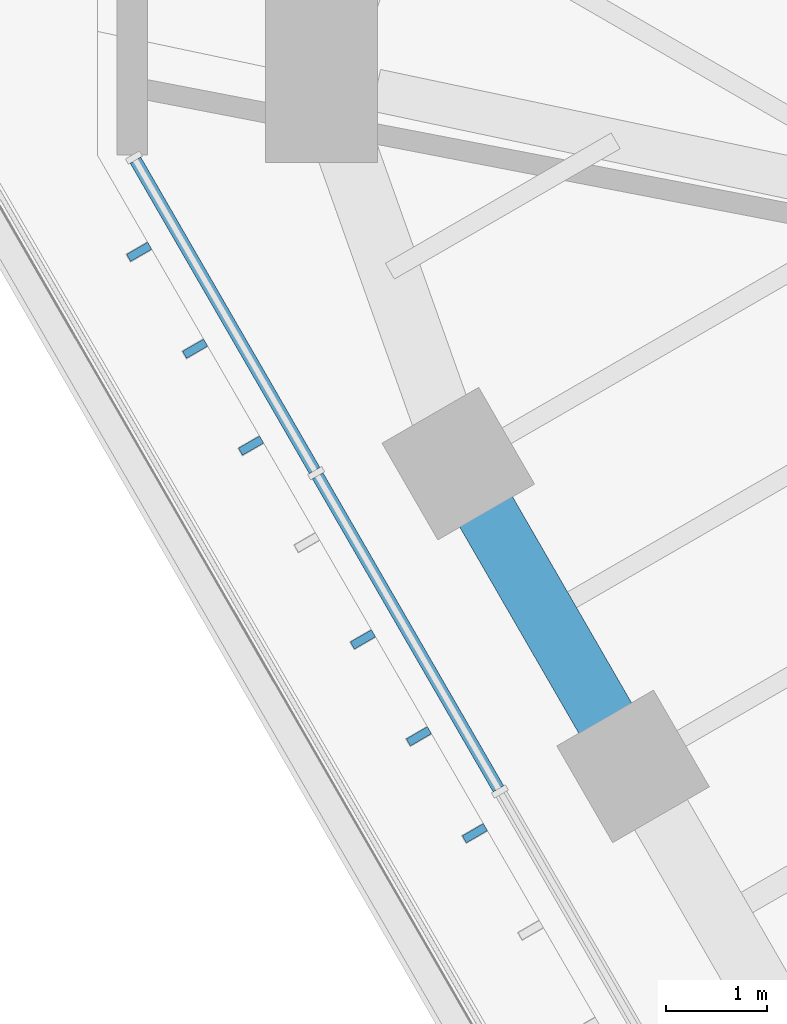
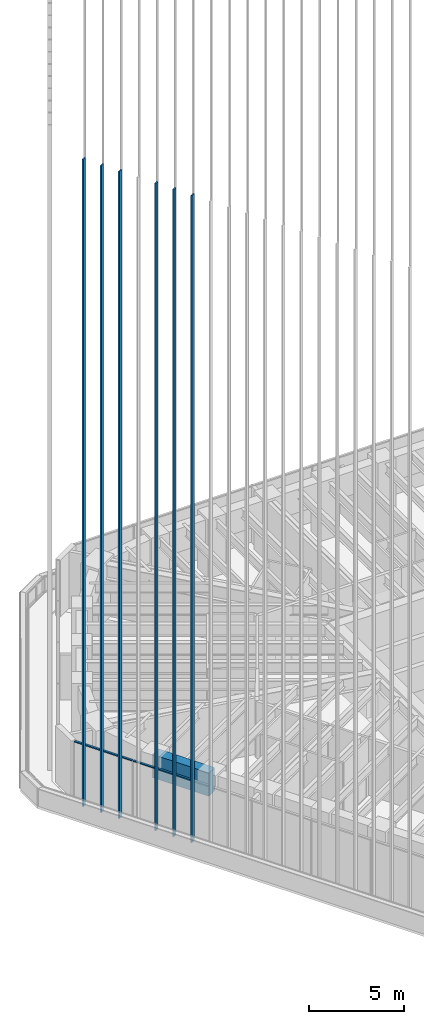
# One storey, part 27 of 127: 8 members, 1 beam, 1 element without a shape of its own.
"""IFC4 building model written with IfcOpenShell, lengths in metres."""

from ifc_helpers import new_model, si_unit, direction, frame, origin, origin_2d, place, context, subcontext, project, spatial, rectangle, extrude, material, material_profile, profile_set, type_object, element, aggregate, save


model = new_model("IFC4")

# Units and contexts
model_context = context("Model", 3, precision=1e-05, world=origin(), true_north=direction((0.0, 1.0)))
body_context = subcontext(model_context, "Body", "Model", "MODEL_VIEW")
ifc_project = project(units=[si_unit("LENGTHUNIT", "METRE"), si_unit("AREAUNIT", "SQUARE_METRE"), si_unit("VOLUMEUNIT", "CUBIC_METRE"), si_unit("PLANEANGLEUNIT", "RADIAN"), si_unit("MASSUNIT", "GRAM", prefix="KILO")], contexts=[model_context])

# Site, building, storey
site_placement = place(None, origin())
site = spatial("IfcSite", under=ifc_project, at=site_placement, CompositionType="ELEMENT")
building_placement = place(site_placement, origin())
building = spatial("IfcBuilding", under=site, at=building_placement, Name="Sandreach Pilgrim Tower", CompositionType="ELEMENT")
storey_placement = place(building_placement, frame((0.0, 0.0, 257.0)))
storey = spatial("IfcBuildingStorey", under=building, at=storey_placement, Name="L64", CompositionType="ELEMENT", Elevation=257.0)

# Curtain wall, members
ifc_material_1 = material(Name="Aluminium framed curtain wall", Category="aluminium")
curtain_wall_type = type_object("IfcCurtainWallType", Name="Suite tower curtain wall", PredefinedType="NOTDEFINED", material=ifc_material_1)
curtain_wall_placement = place(storey_placement, origin())
curtain_wall = element("IfcCurtainWall", 1, at=curtain_wall_placement, inside=storey, type_object=curtain_wall_type, Name="CW-4 L64 SW", PredefinedType="NOTDEFINED")
ifc_material_2 = material(Name="Aluminium extrusion", Category="aluminium")
ifc_material_profile_1 = material_profile(ifc_material_2, rectangle(XDim=0.1201171875, YDim=0.070068359375, at=origin_2d()), Name="CW-4T 120X70")
ifc_profile_set_1 = profile_set([ifc_material_profile_1], Name="Aluminium extrusion")
member_type_1 = type_object("IfcMemberType", Name="CW-4 transom", PredefinedType="USERDEFINED", material=ifc_profile_set_1)
member_1_placement = place(storey_placement, frame((-21.71240234375, -2.045654296875, 3.60498046875), z_axis=(-0.500009219579, 0.866020080793, 0.0), x_axis=(-0.866020080793, -0.500009219579, 0.0)))
member_1 = element("IfcMember", 2, at=member_1_placement, type_object=member_type_1, Name="CW-4 head transom 8", ObjectType="TRANSOM", PredefinedType="USERDEFINED", context=body_context, shape_type="SweptSolid", body=[
    extrude(rectangle(XDim=0.1201171875, YDim=0.070068359375, at=origin_2d()), origin(), (0.0, 0.0, 1.0), 3.56201171875),
])
member_2_placement = place(storey_placement, frame((-23.5234375, 1.091064453125, 3.60498046875), z_axis=(-0.499997709859, 0.866026725994, 0.0), x_axis=(-0.866026725994, -0.499997709859, 0.0)))
member_2 = element("IfcMember", 3, at=member_2_placement, type_object=member_type_1, Name="CW-4 head transom 9", ObjectType="TRANSOM", PredefinedType="USERDEFINED", context=body_context, shape_type="SweptSolid", body=[
    extrude(rectangle(XDim=0.1201171875, YDim=0.070068359375, at=origin_2d()), origin(), (0.0, 0.0, 1.0), 3.53173828125),
])

# Beam
ifc_material_3 = material(Name="Concrete 10000 psi", Category="concrete")
ifc_material_profile_2 = material_profile(ifc_material_3, rectangle(XDim=0.60009765625, YDim=1.5, at=origin_2d()), Name="RC600X1500")
ifc_profile_set_2 = profile_set([ifc_material_profile_2], Name="Concrete 10000 psi")
beam_type = type_object("IfcBeamType", Name="Spandrel beam RC600X1500", PredefinedType="SPANDREL", material=ifc_profile_set_2)
beam_placement = place(storey_placement, frame((-20.38525390625, -1.824462890625, 2.889892578125), z_axis=(-0.500041441558, 0.866001476168, 0.0), x_axis=(-0.866001476168, -0.500041441558, 0.0)))
element("IfcBeam", 4, at=beam_placement, inside=storey, type_object=beam_type, Name="BM L64 SP33", PredefinedType="SPANDREL", context=body_context, shape_type="SweptSolid", body=[
    extrude(rectangle(XDim=0.60009765625, YDim=1.5, at=origin_2d()), origin(), (0.0, 0.0, 1.0), 3.445068359375),
])

# Member
ifc_material_4 = material(Name="Extruded terracotta on aluminium core", Category="masonry")
ifc_material_profile_3 = material_profile(ifc_material_4, rectangle(XDim=0.080078125, YDim=0.239990234375, at=origin_2d()), Name="TBW 80X240")
ifc_profile_set_3 = profile_set([ifc_material_profile_3], Name="Extruded terracotta on aluminium core")
member_type_2 = type_object("IfcMemberType", Name="Terracotta baguette west", PredefinedType="USERDEFINED", material=ifc_profile_set_3)
member_3_placement = place(storey_placement, frame((-21.94482421875, -2.4833984375, 0.0), z_axis=(0.0, 0.0, 1.0), x_axis=(-0.5, 0.866025403784, 0.0)))
member_3 = element("IfcMember", 5, at=member_3_placement, type_object=member_type_2, Name="Baguette Z4 SW23", ObjectType="BAGUETTE", PredefinedType="USERDEFINED", context=body_context, shape_type="SweptSolid", body=[
    extrude(rectangle(XDim=0.080078125, YDim=0.239990234375, at=origin_2d()), origin(), (0.0, 0.0, 1.0), 41.639892578125),
])

member_4_placement = place(storey_placement, frame((-22.49609375, -1.5283203125, 0.0), z_axis=(0.0, 0.0, 1.0), x_axis=(-0.5, 0.866025403784, 0.0)))
member_4 = element("IfcMember", 6, at=member_4_placement, type_object=member_type_2, Name="Baguette Z4 SW24", ObjectType="BAGUETTE", PredefinedType="USERDEFINED", context=body_context, shape_type="SweptSolid", body=[
    extrude(rectangle(XDim=0.080078125, YDim=0.239990234375, at=origin_2d()), origin(), (0.0, 0.0, 1.0), 41.639892578125),
])

member_5_placement = place(storey_placement, frame((-23.047607421875, -0.5732421875, 0.0), z_axis=(0.0, 0.0, 1.0), x_axis=(-0.5, 0.866025403784, 0.0)))
member_5 = element("IfcMember", 7, at=member_5_placement, type_object=member_type_2, Name="Baguette Z4 SW25", ObjectType="BAGUETTE", PredefinedType="USERDEFINED", context=body_context, shape_type="SweptSolid", body=[
    extrude(rectangle(XDim=0.080078125, YDim=0.239990234375, at=origin_2d()), origin(), (0.0, 0.0, 1.0), 41.639892578125),
])

member_6_placement = place(storey_placement, frame((-24.150390625, 1.336669921875, 0.0), z_axis=(0.0, 0.0, 1.0), x_axis=(-0.5, 0.866025403784, 0.0)))
member_6 = element("IfcMember", 8, at=member_6_placement, type_object=member_type_2, Name="Baguette Z4 SW27", ObjectType="BAGUETTE", PredefinedType="USERDEFINED", context=body_context, shape_type="SweptSolid", body=[
    extrude(rectangle(XDim=0.080078125, YDim=0.239990234375, at=origin_2d()), origin(), (0.0, 0.0, 1.0), 41.639892578125),
])

member_7_placement = place(storey_placement, frame((-24.70166015625, 2.291748046875, 0.0), z_axis=(0.0, 0.0, 1.0), x_axis=(-0.5, 0.866025403784, 0.0)))
member_7 = element("IfcMember", 9, at=member_7_placement, type_object=member_type_2, Name="Baguette Z4 SW28", ObjectType="BAGUETTE", PredefinedType="USERDEFINED", context=body_context, shape_type="SweptSolid", body=[
    extrude(rectangle(XDim=0.080078125, YDim=0.239990234375, at=origin_2d()), origin(), (0.0, 0.0, 1.0), 41.639892578125),
])

member_8_placement = place(storey_placement, frame((-25.2529296875, 3.24658203125, 0.0), z_axis=(0.0, 0.0, 1.0), x_axis=(-0.5, 0.866025403784, 0.0)))
member_8 = element("IfcMember", 10, at=member_8_placement, type_object=member_type_2, Name="Baguette Z4 SW29", ObjectType="BAGUETTE", PredefinedType="USERDEFINED", context=body_context, shape_type="SweptSolid", body=[
    extrude(rectangle(XDim=0.080078125, YDim=0.239990234375, at=origin_2d()), origin(), (0.0, 0.0, 1.0), 41.639892578125),
])

aggregate(curtain_wall, [member_1, member_2, member_3, member_4, member_5, member_6, member_7, member_8])

save(model, "model.ifc")
